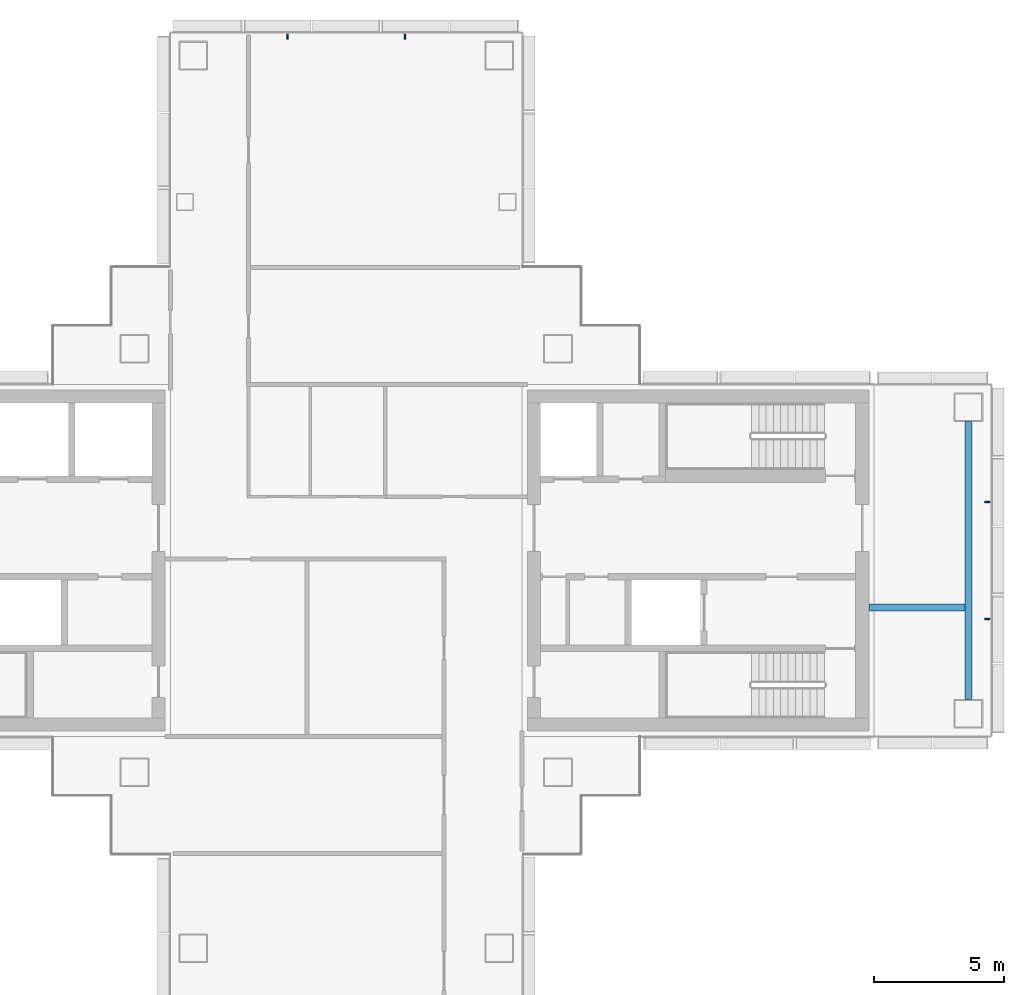
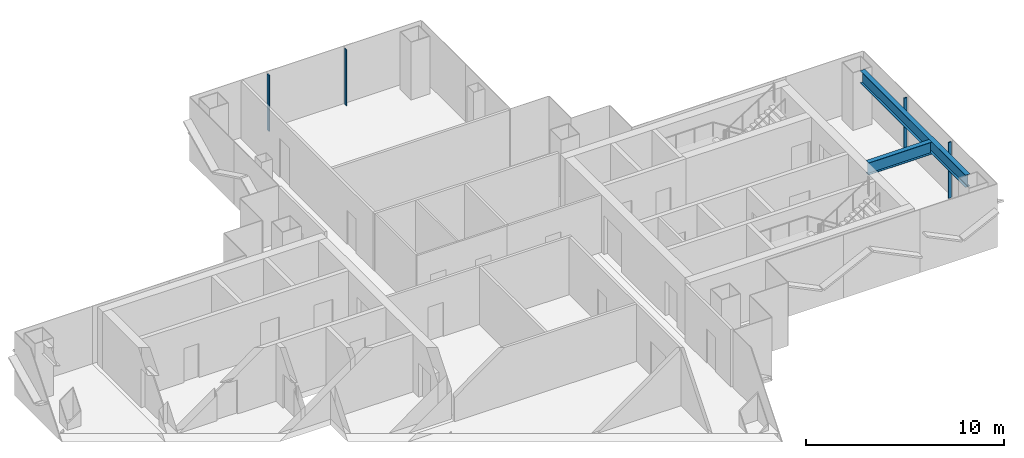
# One storey, part 6 of 16: 4 members, 2 beams, 2 elements without a shape of their own.
"""IFC4 building model written with IfcOpenShell, lengths in metres."""

from ifc_helpers import new_model, si_unit, direction, frame, origin, origin_2d, place, context, subcontext, project, spatial, rectangle, i_section, extrude, material, layer, layer_set, material_profile, profile_set, type_object, element, aggregate, save


model = new_model("IFC4")

# Units and contexts
model_context = context("Model", 3, precision=1e-05, world=origin(), true_north=direction((0.0, 1.0)))
body_context = subcontext(model_context, "Body", "Model", "MODEL_VIEW")
ifc_project = project(units=[si_unit("LENGTHUNIT", "METRE"), si_unit("AREAUNIT", "SQUARE_METRE"), si_unit("VOLUMEUNIT", "CUBIC_METRE"), si_unit("PLANEANGLEUNIT", "RADIAN"), si_unit("MASSUNIT", "GRAM", prefix="KILO")], contexts=[model_context])

# Site, building, storey
site_placement = place(None, origin())
site = spatial("IfcSite", under=ifc_project, at=site_placement, CompositionType="ELEMENT")
building_placement = place(site_placement, origin())
building = spatial("IfcBuilding", under=site, at=building_placement, Name="Shamsa Quay Exchange Towers", CompositionType="ELEMENT")
storey_placement = place(building_placement, frame((0.0, 0.0, 162.300048828125)))
storey = spatial("IfcBuildingStorey", under=building, at=storey_placement, Name="L38", CompositionType="ELEMENT", Elevation=162.300048828125)

# Curtain wall, members
ifc_material_1 = material(Name="Aluminium EN AW-6063 T6, black anodised", Category="aluminium")
ifc_layer = layer(ifc_material_1, 0.280029296875)
ifc_layer_set = layer_set([ifc_layer], Name="CW-1 UNITISED VISION GLASS")
curtain_wall_type = type_object("IfcCurtainWallType", Name="CW-1 UNITISED VISION GLASS", PredefinedType="NOTDEFINED", material=ifc_layer_set)
curtain_wall_1_placement = place(storey_placement, origin())
curtain_wall_1 = element("IfcCurtainWall", 1, at=curtain_wall_1_placement, inside=storey, type_object=curtain_wall_type, Name="CW1 T2-END-V- L38", PredefinedType="NOTDEFINED")
ifc_material_profile_1 = material_profile(ifc_material_1, rectangle(XDim=0.179931640625, YDim=0.06005859375, at=origin_2d()), Name="MU60x180")
ifc_profile_set_1 = profile_set([ifc_material_profile_1], Name="Aluminium EN AW-6063 T6, black anodised")
member_type = type_object("IfcMemberType", Name="CW1 MULLION 60x180", PredefinedType="MULLION", material=ifc_profile_set_1)
member_1_placement = place(storey_placement, frame((58.35009765625, -2.25, 0.0), z_axis=(0.0, 0.0, 1.0), x_axis=(-1.0, 0.0, 0.0)))
member_1 = element("IfcMember", 2, at=member_1_placement, type_object=member_type, Name="CW1 mullion", PredefinedType="MULLION", context=body_context, shape_type="SweptSolid", body=[
    extrude(rectangle(XDim=0.179931640625, YDim=0.06005859375, at=origin_2d()), origin(), (0.0, 0.0, 1.0), 3.449951171875),
])
member_2_placement = place(storey_placement, frame((58.35009765625, 2.25, 0.0), z_axis=(0.0, 0.0, 1.0), x_axis=(-1.0, 0.0, 0.0)))
member_2 = element("IfcMember", 3, at=member_2_placement, type_object=member_type, Name="CW1 mullion", PredefinedType="MULLION", context=body_context, shape_type="SweptSolid", body=[
    extrude(rectangle(XDim=0.179931640625, YDim=0.06005859375, at=origin_2d()), origin(), (0.0, 0.0, 1.0), 3.449951171875),
])
aggregate(curtain_wall_1, [member_1, member_2])

curtain_wall_2_placement = place(storey_placement, origin())
curtain_wall_2 = element("IfcCurtainWall", 4, at=curtain_wall_2_placement, inside=storey, type_object=curtain_wall_type, Name="CW1 T2-END-U+ L38", PredefinedType="NOTDEFINED")
member_3_placement = place(storey_placement, frame((36.0, 20.10009765625, 0.0), z_axis=(0.0, 0.0, 1.0), x_axis=(0.0, -1.0, 0.0)))
member_3 = element("IfcMember", 5, at=member_3_placement, type_object=member_type, Name="CW1 mullion", PredefinedType="MULLION", context=body_context, shape_type="SweptSolid", body=[
    extrude(rectangle(XDim=0.179931640625, YDim=0.06005859375, at=origin_2d()), origin(), (0.0, 0.0, 1.0), 3.449951171875),
])
member_4_placement = place(storey_placement, frame((31.5, 20.10009765625, 0.0), z_axis=(0.0, 0.0, 1.0), x_axis=(0.0, -1.0, 0.0)))
member_4 = element("IfcMember", 6, at=member_4_placement, type_object=member_type, Name="CW1 mullion", PredefinedType="MULLION", context=body_context, shape_type="SweptSolid", body=[
    extrude(rectangle(XDim=0.179931640625, YDim=0.06005859375, at=origin_2d()), origin(), (0.0, 0.0, 1.0), 3.449951171875),
])
aggregate(curtain_wall_2, [member_3, member_4])

# Beams
ifc_material_2 = material(Name="Steel S355", Category="steel")
ifc_material_profile_2 = material_profile(ifc_material_2, i_section(OverallWidth=0.26611328125, OverallDepth=0.7578125, WebThickness=0.013916015625, FlangeThickness=0.019287109375, at=origin_2d()), Name="W30x108")
ifc_profile_set_2 = profile_set([ifc_material_profile_2], Name="Steel S355")
beam_type = type_object("IfcBeamType", Name="End-zone beam W30x108", PredefinedType="BEAM", material=ifc_profile_set_2)
beam_1_placement = place(storey_placement, frame((57.625, -5.324951171875, 3.171142578125), z_axis=(0.0, 1.0, 0.0), x_axis=(-1.0, 0.0, 0.0)))
element("IfcBeam", 7, at=beam_1_placement, inside=storey, type_object=beam_type, Name="End beam T2 V- end zone L38", PredefinedType="BEAM", context=body_context, shape_type="SweptSolid", body=[
    extrude(i_section(OverallWidth=0.26611328125, OverallDepth=0.7578125, WebThickness=0.013916015625, FlangeThickness=0.019287109375, at=origin_2d()), origin(), (0.0, 0.0, 1.0), 10.64990234375),
])
beam_2_placement = place(storey_placement, frame((53.800048828125, -1.800048828125, 3.171142578125), z_axis=(1.0, 0.0, 0.0), x_axis=(0.0, 1.0, 0.0)))
element("IfcBeam", 8, at=beam_2_placement, inside=storey, type_object=beam_type, Name="Spine beam T2 V- end zone L38", PredefinedType="BEAM", context=body_context, shape_type="SweptSolid", body=[
    extrude(i_section(OverallWidth=0.26611328125, OverallDepth=0.7578125, WebThickness=0.013916015625, FlangeThickness=0.019287109375, at=origin_2d()), origin(), (0.0, 0.0, 1.0), 3.69189453125),
])

save(model, "model.ifc")
